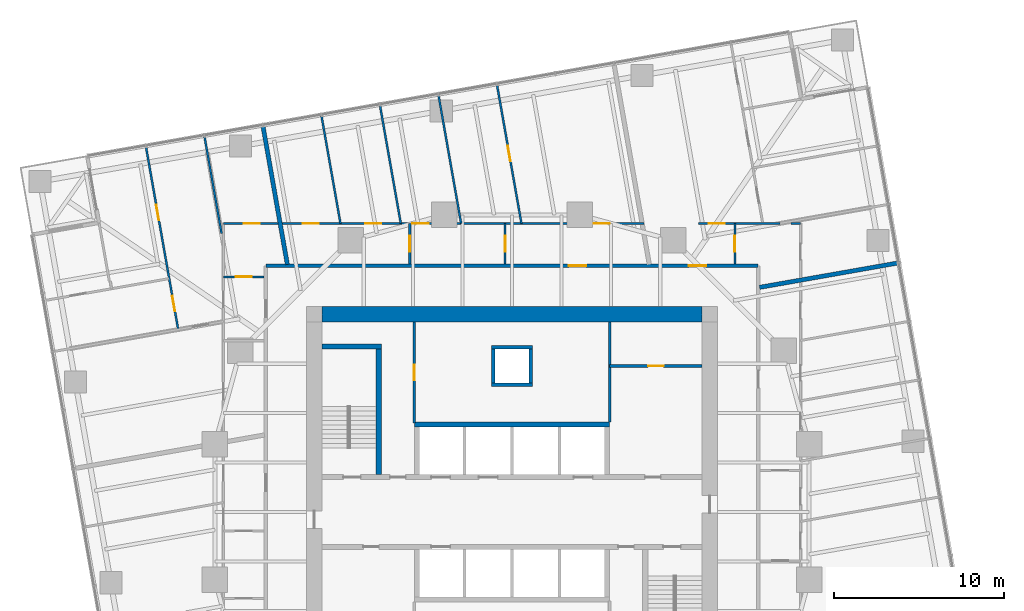
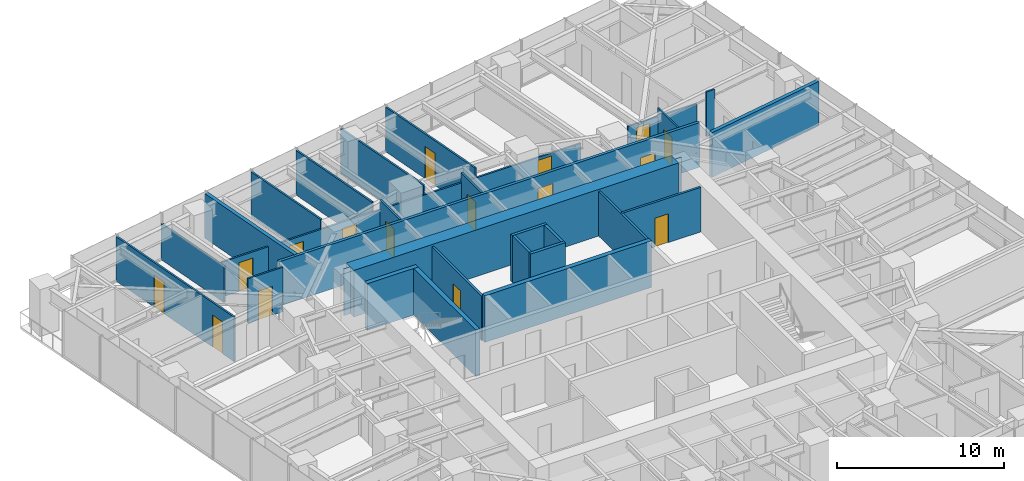
# One storey, part 12 of 14: 27 walls, 17 doors, 17 openings.
"""IFC4 building model written with IfcOpenShell, lengths in metres."""

from ifc_helpers import new_model, si_unit, direction, frame, frame_2d, origin, place, context, subcontext, project, spatial, polyline, rectangle, outline, extrude, material, layer, layer_set, type_object, element, fill, save


model = new_model("IFC4")

# Units and contexts
model_context = context("Model", 3, precision=1e-05, world=origin(), true_north=direction((0.0, 1.0)))
body_context = subcontext(model_context, "Body", "Model", "MODEL_VIEW")
ifc_project = project(units=[si_unit("LENGTHUNIT", "METRE"), si_unit("AREAUNIT", "SQUARE_METRE"), si_unit("VOLUMEUNIT", "CUBIC_METRE"), si_unit("PLANEANGLEUNIT", "RADIAN"), si_unit("MASSUNIT", "GRAM", prefix="KILO")], contexts=[model_context])

# Site, building, storey
site_placement = place(None, origin())
site = spatial("IfcSite", under=ifc_project, at=site_placement, CompositionType="ELEMENT")
building_placement = place(site_placement, origin())
building = spatial("IfcBuilding", under=site, at=building_placement, Name="Torsade Residences", CompositionType="ELEMENT")
storey_placement = place(building_placement, frame((0.0, 0.0, 79.39990234375)))
storey = spatial("IfcBuildingStorey", under=building, at=storey_placement, Name="L21", CompositionType="ELEMENT", Elevation=79.39990234375)

# Walls
ifc_material_1 = material(Name="Concrete 80 MPa", Category="concrete")
ifc_layer_1 = layer(ifc_material_1, 0.300048828125)
ifc_layer_set_1 = layer_set([ifc_layer_1], Name="Concrete 80 MPa")
wall_type_1 = type_object("IfcWallType", Name="CORE INTERNAL WALL 300", PredefinedType="SHEAR", material=ifc_layer_set_1)
wall_1_placement = place(storey_placement, frame((34.25, 35.14990234375, 0.0), z_axis=(0.0, 0.0, 1.0), x_axis=(1.0, 0.0, 0.0)))
element("IfcWall", 1, at=wall_1_placement, inside=storey, type_object=wall_type_1, Name="Core wall BN L21", PredefinedType="SHEAR", context=body_context, shape_type="SweptSolid", body=[
    extrude(rectangle(XDim=11.5, YDim=0.300048828125, at=frame_2d((5.75, 0.0))), origin(), (0.0, 0.0, 1.0), 3.400146484375),
])
wall_2_placement = place(storey_placement, frame((32.14990234375, 32.199951171875, 0.0), z_axis=(0.0, 0.0, 1.0), x_axis=(0.0, 1.0, 0.0)))
element("IfcWall", 2, at=wall_2_placement, inside=storey, type_object=wall_type_1, Name="Core wall ST1E L21", PredefinedType="SHEAR", context=body_context, shape_type="SweptSolid", body=[
    extrude(rectangle(XDim=7.699951171875, YDim=0.300048828125, at=frame_2d((3.85009765625, 0.0))), origin(), (0.0, 0.0, 1.0), 3.400146484375),
])
wall_3_placement = place(storey_placement, frame((28.800048828125, 39.75, 0.0), z_axis=(0.0, 0.0, 1.0), x_axis=(1.0, 0.0, 0.0)))
element("IfcWall", 3, at=wall_3_placement, inside=storey, type_object=wall_type_1, Name="Core wall ST1N L21", PredefinedType="SHEAR", context=body_context, shape_type="SweptSolid", body=[
    extrude(rectangle(XDim=3.5, YDim=0.300048828125, at=frame_2d((1.75, 0.0))), origin(), (0.0, 0.0, 1.0), 3.400146484375),
])
ifc_material_2 = material(Name="Concrete 80 MPa", Category="concrete")
ifc_layer_2 = layer(ifc_material_2, 0.89990234375)
ifc_layer_set_2 = layer_set([ifc_layer_2], Name="Concrete 80 MPa")
wall_type_2 = type_object("IfcWallType", Name="CORE WALL 900", PredefinedType="SHEAR", material=ifc_layer_set_2)
wall_4_placement = place(storey_placement, frame((28.800048828125, 41.64990234375, 0.0), z_axis=(0.0, 0.0, 1.0), x_axis=(1.0, 0.0, 0.0)))
element("IfcWall", 4, at=wall_4_placement, inside=storey, type_object=wall_type_2, Name="Core wall N L21", PredefinedType="SHEAR", context=body_context, shape_type="SweptSolid", body=[
    extrude(outline(polyline([(0.0, -0.449951171875), (22.39990234375, -0.449951171875), (22.39990234375, -0.02490234375), (22.849853515625, -0.02490234375), (22.849853515625, 0.02490234375), (22.39990234375, 0.02490234375), (22.39990234375, 0.449951171875), (0.0, 0.449951171875), (0.0, 0.02490234375), (-0.449951171875, 0.02490234375), (-0.449951171875, -0.02490234375), (0.0, -0.02490234375), (0.0, -0.449951171875)])), origin(), (0.0, 0.0, 1.0), 3.400146484375),
])

# Wall, openings, doors
ifc_material_3 = material(Name="Plasterboard on steel stud", Category="steel")
ifc_layer_3 = layer(ifc_material_3, 0.199951171875)
ifc_layer_set_3 = layer_set([ifc_layer_3], Name="Plasterboard on steel stud")
wall_type_3 = type_object("IfcWallType", Name="CORRIDOR WALL 200", PredefinedType="PARTITIONING", material=ifc_layer_set_3)
wall_5_placement = place(storey_placement, frame((54.5, 44.5, 0.0), z_axis=(0.0, 0.0, 1.0), x_axis=(-1.0, 0.0, 0.0)))
wall_5 = element("IfcWall", 5, at=wall_5_placement, inside=storey, type_object=wall_type_3, Name="Corridor wall L21", PredefinedType="PARTITIONING", context=body_context, shape_type="SweptSolid", body=[
    extrude(rectangle(XDim=29.0, YDim=0.199951171875, at=frame_2d((14.5, 0.0))), origin(), (0.0, 0.0, 1.0), 3.25),
])
opening_1_placement = place(wall_5_placement, frame((10.128662109375, 0.0, 0.0)))
opening_1 = element("IfcOpeningElement", 6, at=opening_1_placement, cuts=wall_5, Name="Opening D01", PredefinedType="OPENING", context=body_context, shape_type="SweptSolid", body=[
    extrude(rectangle(XDim=1.02001953125, YDim=2.340087890625, at=frame_2d((0.510009765625, 1.169921875))), frame((0.0, 0.10986328125, 0.0), z_axis=(0.0, -1.0, 0.0), x_axis=(1.0, 0.0, 0.0)), (0.0, 0.0, 1.0), 0.219970703125),
])
opening_2_placement = place(wall_5_placement, frame((3.0654296875, 0.0, 0.0)))
opening_2 = element("IfcOpeningElement", 7, at=opening_2_placement, cuts=wall_5, Name="Opening D01L", PredefinedType="OPENING", context=body_context, shape_type="SweptSolid", body=[
    extrude(rectangle(XDim=1.02001953125, YDim=2.10009765625, at=frame_2d((0.510009765625, 1.050048828125))), frame((0.0, 0.10986328125, 0.0), z_axis=(0.0, -1.0, 0.0), x_axis=(1.0, 0.0, 0.0)), (0.0, 0.0, 1.0), 0.219970703125),
])
ifc_material_4 = material(Name="Solid-core timber fire door", Category="wood")
door_type_1 = type_object("IfcDoorType", Name="APARTMENT ENTRY DOOR 1020x2100", OperationType="NOTDEFINED", PredefinedType="DOOR", material=ifc_material_4)
door_1_placement = place(opening_2_placement, origin())
door_1 = element("IfcDoor", 8, at=door_1_placement, inside=storey, type_object=door_type_1, Name="Door Residential corridor to Kitchen and dining", OperationType="SINGLE_SWING_LEFT", OverallHeight=2.10009765625, OverallWidth=1.02001953125, PredefinedType="DOOR", context=body_context, shape_type="SweptSolid", body=[
    extrude(rectangle(XDim=1.02001953125, YDim=2.10009765625, at=frame_2d((0.510009765625, 1.050048828125))), frame((0.0, 0.02490234375, 0.0), z_axis=(0.0, -1.0, 0.0), x_axis=(1.0, 0.0, 0.0)), (0.0, 0.0, 1.0), 0.050048828125),
])
fill(opening_2, door_1)
ifc_material_5 = material(Name="Solid-core timber fire door", Category="wood")
door_type_2 = type_object("IfcDoorType", Name="APARTMENT ENTRY DOOR 1020x2340", OperationType="NOTDEFINED", PredefinedType="DOOR", material=ifc_material_5)
door_2_placement = place(opening_1_placement, origin())
door_2 = element("IfcDoor", 9, at=door_2_placement, inside=storey, type_object=door_type_2, Name="Door Residential corridor to Kitchen and dining", OperationType="SINGLE_SWING_RIGHT", OverallHeight=2.340087890625, OverallWidth=1.02001953125, PredefinedType="DOOR", context=body_context, shape_type="SweptSolid", body=[
    extrude(rectangle(XDim=1.02001953125, YDim=2.340087890625, at=frame_2d((0.510009765625, 1.169921875))), frame((0.0, 0.02490234375, 0.0), z_axis=(0.0, -1.0, 0.0), x_axis=(1.0, 0.0, 0.0)), (0.0, 0.0, 1.0), 0.050048828125),
])
fill(opening_1, door_2)

# Wall, opening, door
ifc_material_6 = material(Name="Plasterboard on steel stud", Category="steel")
ifc_layer_4 = layer(ifc_material_6, 0.1201171875)
ifc_layer_set_4 = layer_set([ifc_layer_4], Name="Plasterboard on steel stud")
wall_type_4 = type_object("IfcWallType", Name="PARTITION 120", PredefinedType="PARTITIONING", material=ifc_layer_set_4)
wall_6_placement = place(storey_placement, frame((53.13037109375, 47.0, 0.0), z_axis=(0.0, 0.0, 1.0), x_axis=(0.0, -1.0, 0.0)))
wall_6 = element("IfcWall", 10, at=wall_6_placement, inside=storey, type_object=wall_type_4, Name="Partition L21", PredefinedType="PARTITIONING", context=body_context, shape_type="SweptSolid", body=[
    extrude(rectangle(XDim=2.39990234375, YDim=0.1201171875, at=frame_2d((1.199951171875, 0.0))), origin(), (0.0, 0.0, 1.0), 3.25),
])
opening_3_placement = place(wall_6_placement, frame((0.719970703125, 0.0, 0.0)))
opening_3 = element("IfcOpeningElement", 11, at=opening_3_placement, cuts=wall_6, Name="Opening D05", PredefinedType="OPENING", context=body_context, shape_type="SweptSolid", body=[
    extrude(rectangle(XDim=0.9599609375, YDim=2.10009765625, at=frame_2d((0.47998046875, 1.050048828125))), frame((0.0, 0.070068359375, 0.0), z_axis=(0.0, -1.0, 0.0), x_axis=(1.0, 0.0, 0.0)), (0.0, 0.0, 1.0), 0.14013671875),
])
ifc_material_7 = material(Name="Hollow-core timber door in a steel cavity frame", Category="steel")
door_type_3 = type_object("IfcDoorType", Name="BATHROOM CAVITY SLIDING DOOR 960", OperationType="SLIDING_TO_LEFT", PredefinedType="DOOR", material=ifc_material_7)
door_3_placement = place(opening_3_placement, origin())
door_3 = element("IfcDoor", 12, at=door_3_placement, inside=storey, type_object=door_type_3, Name="Door Kitchen and dining to Bathroom", OperationType="SLIDING_TO_LEFT", OverallHeight=2.10009765625, OverallWidth=0.9599609375, PredefinedType="DOOR", context=body_context, shape_type="SweptSolid", body=[
    extrude(rectangle(XDim=0.9599609375, YDim=2.10009765625, at=frame_2d((0.47998046875, 1.050048828125))), frame((0.0, 0.02490234375, 0.0), z_axis=(0.0, -1.0, 0.0), x_axis=(1.0, 0.0, 0.0)), (0.0, 0.0, 1.0), 0.050048828125),
])
fill(opening_3, door_3)

# Wall, openings, doors
wall_7_placement = place(storey_placement, frame((23.0, 47.0, 0.0), z_axis=(0.0, 0.0, 1.0), x_axis=(1.0, 0.0, 0.0)))
wall_7 = element("IfcWall", 13, at=wall_7_placement, inside=storey, type_object=wall_type_4, Name="Partition L21", PredefinedType="PARTITIONING", context=body_context, shape_type="SweptSolid", body=[
    extrude(rectangle(XDim=24.771240234375, YDim=0.1201171875, at=frame_2d((12.3857421875, 0.0))), origin(), (0.0, 0.0, 1.0), 2.550048828125),
])
opening_4_placement = place(wall_7_placement, frame((21.824951171875, 0.0, 0.0)))
opening_4 = element("IfcOpeningElement", 14, at=opening_4_placement, cuts=wall_7, Name="Opening D02", PredefinedType="OPENING", context=body_context, shape_type="SweptSolid", body=[
    extrude(rectangle(XDim=0.919921875, YDim=2.340087890625, at=frame_2d((0.4599609375, 1.169921875))), frame((0.0, 0.070068359375, 0.0), z_axis=(0.0, -1.0, 0.0), x_axis=(1.0, 0.0, 0.0)), (0.0, 0.0, 1.0), 0.14013671875),
])
opening_5_placement = place(wall_7_placement, frame((11.135009765625, 0.0, 0.0)))
opening_5 = element("IfcOpeningElement", 15, at=opening_5_placement, cuts=wall_7, Name="Opening D05", PredefinedType="OPENING", context=body_context, shape_type="SweptSolid", body=[
    extrude(rectangle(XDim=0.9599609375, YDim=2.10009765625, at=frame_2d((0.47998046875, 1.050048828125))), frame((0.0, 0.070068359375, 0.0), z_axis=(0.0, -1.0, 0.0), x_axis=(1.0, 0.0, 0.0)), (0.0, 0.0, 1.0), 0.14013671875),
])
opening_6_placement = place(wall_7_placement, frame((1.190185546875, 0.0, 0.0)))
opening_6 = element("IfcOpeningElement", 16, at=opening_6_placement, cuts=wall_7, Name="Opening D05", PredefinedType="OPENING", context=body_context, shape_type="SweptSolid", body=[
    extrude(rectangle(XDim=0.9599609375, YDim=2.10009765625, at=frame_2d((0.47998046875, 1.050048828125))), frame((0.0, 0.070068359375, 0.0), z_axis=(0.0, -1.0, 0.0), x_axis=(1.0, 0.0, 0.0)), (0.0, 0.0, 1.0), 0.14013671875),
])
opening_7_placement = place(wall_7_placement, frame((8.341552734375, 0.0, 0.0)))
opening_7 = element("IfcOpeningElement", 17, at=opening_7_placement, cuts=wall_7, Name="Opening D05", PredefinedType="OPENING", context=body_context, shape_type="SweptSolid", body=[
    extrude(rectangle(XDim=0.9599609375, YDim=2.10009765625, at=frame_2d((0.47998046875, 1.050048828125))), frame((0.0, 0.070068359375, 0.0), z_axis=(0.0, -1.0, 0.0), x_axis=(1.0, 0.0, 0.0)), (0.0, 0.0, 1.0), 0.14013671875),
])
opening_8_placement = place(wall_7_placement, frame((4.662841796875, 0.0, 0.0)))
opening_8 = element("IfcOpeningElement", 18, at=opening_8_placement, cuts=wall_7, Name="Opening D05", PredefinedType="OPENING", context=body_context, shape_type="SweptSolid", body=[
    extrude(rectangle(XDim=0.9599609375, YDim=2.10009765625, at=frame_2d((0.47998046875, 1.050048828125))), frame((0.0, 0.070068359375, 0.0), z_axis=(0.0, -1.0, 0.0), x_axis=(1.0, 0.0, 0.0)), (0.0, 0.0, 1.0), 0.14013671875),
])
door_4_placement = place(opening_5_placement, origin())
door_4 = element("IfcDoor", 19, at=door_4_placement, inside=storey, type_object=door_type_3, Name="Door Ensuite to Bedroom 2", OperationType="SLIDING_TO_LEFT", OverallHeight=2.10009765625, OverallWidth=0.9599609375, PredefinedType="DOOR", context=body_context, shape_type="SweptSolid", body=[
    extrude(rectangle(XDim=0.9599609375, YDim=2.10009765625, at=frame_2d((0.47998046875, 1.050048828125))), frame((0.0, 0.02490234375, 0.0), z_axis=(0.0, -1.0, 0.0), x_axis=(1.0, 0.0, 0.0)), (0.0, 0.0, 1.0), 0.050048828125),
])
fill(opening_5, door_4)
door_5_placement = place(opening_6_placement, origin())
door_5 = element("IfcDoor", 20, at=door_5_placement, inside=storey, type_object=door_type_3, Name="Door WC to Family room", OperationType="SLIDING_TO_LEFT", OverallHeight=2.10009765625, OverallWidth=0.9599609375, PredefinedType="DOOR", context=body_context, shape_type="SweptSolid", body=[
    extrude(rectangle(XDim=0.9599609375, YDim=2.10009765625, at=frame_2d((0.47998046875, 1.050048828125))), frame((0.0, 0.02490234375, 0.0), z_axis=(0.0, -1.0, 0.0), x_axis=(1.0, 0.0, 0.0)), (0.0, 0.0, 1.0), 0.050048828125),
])
fill(opening_6, door_5)
door_6_placement = place(opening_7_placement, origin())
door_6 = element("IfcDoor", 21, at=door_6_placement, inside=storey, type_object=door_type_3, Name="Door Bathroom to Study", OperationType="SLIDING_TO_LEFT", OverallHeight=2.10009765625, OverallWidth=0.9599609375, PredefinedType="DOOR", context=body_context, shape_type="SweptSolid", body=[
    extrude(rectangle(XDim=0.9599609375, YDim=2.10009765625, at=frame_2d((0.47998046875, 1.050048828125))), frame((0.0, 0.02490234375, 0.0), z_axis=(0.0, -1.0, 0.0), x_axis=(1.0, 0.0, 0.0)), (0.0, 0.0, 1.0), 0.050048828125),
])
fill(opening_7, door_6)
door_7_placement = place(opening_8_placement, origin())
door_7 = element("IfcDoor", 22, at=door_7_placement, inside=storey, type_object=door_type_3, Name="Door Bathroom to Family room", OperationType="SLIDING_TO_LEFT", OverallHeight=2.10009765625, OverallWidth=0.9599609375, PredefinedType="DOOR", context=body_context, shape_type="SweptSolid", body=[
    extrude(rectangle(XDim=0.9599609375, YDim=2.10009765625, at=frame_2d((0.47998046875, 1.050048828125))), frame((0.0, 0.02490234375, 0.0), z_axis=(0.0, -1.0, 0.0), x_axis=(1.0, 0.0, 0.0)), (0.0, 0.0, 1.0), 0.050048828125),
])
fill(opening_8, door_7)
ifc_material_8 = material(Name="Hollow-core timber door", Category="wood")
door_type_4 = type_object("IfcDoorType", Name="INTERNAL DOOR 920x2340", OperationType="NOTDEFINED", PredefinedType="DOOR", material=ifc_material_8)
door_8_placement = place(opening_4_placement, origin())
door_8 = element("IfcDoor", 23, at=door_8_placement, inside=storey, type_object=door_type_4, Name="Door Kitchen and dining to Living room", OperationType="SINGLE_SWING_LEFT", OverallHeight=2.340087890625, OverallWidth=0.919921875, PredefinedType="DOOR", context=body_context, shape_type="SweptSolid", body=[
    extrude(rectangle(XDim=0.919921875, YDim=2.340087890625, at=frame_2d((0.4599609375, 1.169921875))), frame((0.0, 0.02490234375, 0.0), z_axis=(0.0, -1.0, 0.0), x_axis=(1.0, 0.0, 0.0)), (0.0, 0.0, 1.0), 0.050048828125),
])
fill(opening_4, door_8)

# Wall, opening, door
wall_8_placement = place(storey_placement, frame((51.0, 47.0, 0.0), z_axis=(0.0, 0.0, 1.0), x_axis=(1.0, 0.0, 0.0)))
wall_8 = element("IfcWall", 24, at=wall_8_placement, inside=storey, type_object=wall_type_4, Name="Partition L21", PredefinedType="PARTITIONING", context=body_context, shape_type="SweptSolid", body=[
    extrude(rectangle(XDim=4.7890625, YDim=0.1201171875, at=frame_2d((2.39453125, 0.0))), origin(), (0.0, 0.0, 1.0), 2.63818359375),
])
opening_9_placement = place(wall_8_placement, frame((0.605224609375, 0.0, 0.0)))
opening_9 = element("IfcOpeningElement", 25, at=opening_9_placement, cuts=wall_8, Name="Opening D02", PredefinedType="OPENING", context=body_context, shape_type="SweptSolid", body=[
    extrude(rectangle(XDim=0.919921875, YDim=2.340087890625, at=frame_2d((0.4599609375, 1.169921875))), frame((0.0, 0.070068359375, 0.0), z_axis=(0.0, -1.0, 0.0), x_axis=(1.0, 0.0, 0.0)), (0.0, 0.0, 1.0), 0.14013671875),
])
door_9_placement = place(opening_9_placement, origin())
door_9 = element("IfcDoor", 26, at=door_9_placement, inside=storey, type_object=door_type_4, Name="Door Kitchen and dining to Living room", OperationType="SINGLE_SWING_RIGHT", OverallHeight=2.340087890625, OverallWidth=0.919921875, PredefinedType="DOOR", context=body_context, shape_type="SweptSolid", body=[
    extrude(rectangle(XDim=0.919921875, YDim=2.340087890625, at=frame_2d((0.4599609375, 1.169921875))), frame((0.0, 0.02490234375, 0.0), z_axis=(0.0, -1.0, 0.0), x_axis=(1.0, 0.0, 0.0)), (0.0, 0.0, 1.0), 0.050048828125),
])
fill(opening_9, door_9)

wall_9_placement = place(storey_placement, frame((39.595703125, 44.60009765625, 0.0), z_axis=(0.0, 0.0, 1.0), x_axis=(0.0, 1.0, 0.0)))
wall_9 = element("IfcWall", 27, at=wall_9_placement, inside=storey, type_object=wall_type_4, Name="Partition L21", PredefinedType="PARTITIONING", context=body_context, shape_type="SweptSolid", body=[
    extrude(rectangle(XDim=2.39990234375, YDim=0.1201171875, at=frame_2d((1.199951171875, 0.0))), origin(), (0.0, 0.0, 1.0), 3.25),
])
opening_10_placement = place(wall_9_placement, frame((0.719970703125, 0.0, 0.0)))
opening_10 = element("IfcOpeningElement", 28, at=opening_10_placement, cuts=wall_9, Name="Opening D05", PredefinedType="OPENING", context=body_context, shape_type="SweptSolid", body=[
    extrude(rectangle(XDim=0.9599609375, YDim=2.10009765625, at=frame_2d((0.47998046875, 1.050048828125))), frame((0.0, 0.070068359375, 0.0), z_axis=(0.0, -1.0, 0.0), x_axis=(1.0, 0.0, 0.0)), (0.0, 0.0, 1.0), 0.14013671875),
])
door_10_placement = place(opening_10_placement, origin())
door_10 = element("IfcDoor", 29, at=door_10_placement, inside=storey, type_object=door_type_3, Name="Door Kitchen and dining to Ensuite", OperationType="SLIDING_TO_LEFT", OverallHeight=2.10009765625, OverallWidth=0.9599609375, PredefinedType="DOOR", context=body_context, shape_type="SweptSolid", body=[
    extrude(rectangle(XDim=0.9599609375, YDim=2.10009765625, at=frame_2d((0.47998046875, 1.050048828125))), frame((0.0, 0.02490234375, 0.0), z_axis=(0.0, -1.0, 0.0), x_axis=(1.0, 0.0, 0.0)), (0.0, 0.0, 1.0), 0.050048828125),
])
fill(opening_10, door_10)

wall_10_placement = place(storey_placement, frame((33.976806640625, 47.0, 0.0), z_axis=(0.0, 0.0, 1.0), x_axis=(0.0, -1.0, 0.0)))
wall_10 = element("IfcWall", 30, at=wall_10_placement, inside=storey, type_object=wall_type_4, Name="Partition L21", PredefinedType="PARTITIONING", context=body_context, shape_type="SweptSolid", body=[
    extrude(rectangle(XDim=2.39990234375, YDim=0.1201171875, at=frame_2d((1.199951171875, 0.0))), origin(), (0.0, 0.0, 1.0), 3.25),
])
opening_11_placement = place(wall_10_placement, frame((0.719970703125, 0.0, 0.0)))
opening_11 = element("IfcOpeningElement", 31, at=opening_11_placement, cuts=wall_10, Name="Opening D05", PredefinedType="OPENING", context=body_context, shape_type="SweptSolid", body=[
    extrude(rectangle(XDim=0.9599609375, YDim=2.10009765625, at=frame_2d((0.47998046875, 1.050048828125))), frame((0.0, 0.070068359375, 0.0), z_axis=(0.0, -1.0, 0.0), x_axis=(1.0, 0.0, 0.0)), (0.0, 0.0, 1.0), 0.14013671875),
])
door_11_placement = place(opening_11_placement, origin())
door_11 = element("IfcDoor", 32, at=door_11_placement, inside=storey, type_object=door_type_3, Name="Door Ensuite to Bathroom", OperationType="SLIDING_TO_LEFT", OverallHeight=2.10009765625, OverallWidth=0.9599609375, PredefinedType="DOOR", context=body_context, shape_type="SweptSolid", body=[
    extrude(rectangle(XDim=0.9599609375, YDim=2.10009765625, at=frame_2d((0.47998046875, 1.050048828125))), frame((0.0, 0.02490234375, 0.0), z_axis=(0.0, -1.0, 0.0), x_axis=(1.0, 0.0, 0.0)), (0.0, 0.0, 1.0), 0.050048828125),
])
fill(opening_11, door_11)

wall_11_placement = place(storey_placement, frame((40.556396484375, 47.0, 0.0), z_axis=(0.0, 0.0, 1.0), x_axis=(-0.173647980238, 0.984807787824, 0.0)))
wall_11 = element("IfcWall", 33, at=wall_11_placement, inside=storey, type_object=wall_type_4, Name="Partition L21", PredefinedType="PARTITIONING", context=body_context, shape_type="SweptSolid", body=[
    extrude(rectangle(XDim=8.314697265625, YDim=0.1201171875, at=frame_2d((4.1572265625, 0.0))), origin(), (0.0, 0.0, 1.0), 3.25),
])
opening_12_placement = place(wall_11_placement, frame((3.717529296875, 0.0, 0.0)))
opening_12 = element("IfcOpeningElement", 34, at=opening_12_placement, cuts=wall_11, Name="Opening D02", PredefinedType="OPENING", context=body_context, shape_type="SweptSolid", body=[
    extrude(rectangle(XDim=0.919921875, YDim=2.340087890625, at=frame_2d((0.4599609375, 1.169921875))), frame((0.0, 0.070068359375, 0.0), z_axis=(0.0, -1.0, 0.0), x_axis=(1.0, 0.0, 0.0)), (0.0, 0.0, 1.0), 0.14013671875),
])
door_12_placement = place(opening_12_placement, origin())
door_12 = element("IfcDoor", 35, at=door_12_placement, inside=storey, type_object=door_type_4, Name="Door Living room to Bedroom 1", OperationType="SINGLE_SWING_LEFT", OverallHeight=2.340087890625, OverallWidth=0.919921875, PredefinedType="DOOR", context=body_context, shape_type="SweptSolid", body=[
    extrude(rectangle(XDim=0.919921875, YDim=2.340087890625, at=frame_2d((0.4599609375, 1.169921875))), frame((0.0, 0.02490234375, 0.0), z_axis=(0.0, -1.0, 0.0), x_axis=(1.0, 0.0, 0.0)), (0.0, 0.0, 1.0), 0.050048828125),
])
fill(opening_12, door_12)

# Walls
wall_12_placement = place(storey_placement, frame((37.00244140625, 47.0, 0.0), z_axis=(0.0, 0.0, 1.0), x_axis=(-0.173644207293, 0.984808453088, 0.0)))
element("IfcWall", 36, at=wall_12_placement, inside=storey, type_object=wall_type_4, Name="Partition L21", PredefinedType="PARTITIONING", context=body_context, shape_type="SweptSolid", body=[
    extrude(rectangle(XDim=7.69775390625, YDim=0.1201171875, at=frame_2d((3.848876953125, 0.0))), origin(), (0.0, 0.0, 1.0), 3.25),
])
wall_13_placement = place(storey_placement, frame((33.448486328125, 47.0, 0.0), z_axis=(0.0, 0.0, 1.0), x_axis=(-0.173639776761, 0.984809234282, 0.0)))
element("IfcWall", 37, at=wall_13_placement, inside=storey, type_object=wall_type_4, Name="Partition L21", PredefinedType="PARTITIONING", context=body_context, shape_type="SweptSolid", body=[
    extrude(rectangle(XDim=7.080810546875, YDim=0.1201171875, at=frame_2d((3.54052734375, 0.0))), origin(), (0.0, 0.0, 1.0), 3.25),
])
wall_14_placement = place(storey_placement, frame((29.89453125, 47.0, 0.0), z_axis=(0.0, 0.0, 1.0), x_axis=(-0.173640959323, 0.984809025774, 0.0)))
element("IfcWall", 38, at=wall_14_placement, inside=storey, type_object=wall_type_4, Name="Partition L21", PredefinedType="PARTITIONING", context=body_context, shape_type="SweptSolid", body=[
    extrude(rectangle(XDim=6.46337890625, YDim=0.1201171875, at=frame_2d((3.231689453125, 0.0))), origin(), (0.0, 0.0, 1.0), 3.25),
])

# Wall, opening, door
wall_15_placement = place(storey_placement, frame((23.0, 43.85595703125, 0.0), z_axis=(0.0, 0.0, 1.0), x_axis=(1.0, 0.0, 0.0)))
wall_15 = element("IfcWall", 39, at=wall_15_placement, inside=storey, type_object=wall_type_4, Name="Partition L21", PredefinedType="PARTITIONING", context=body_context, shape_type="SweptSolid", body=[
    extrude(rectangle(XDim=2.39990234375, YDim=0.1201171875, at=frame_2d((1.199951171875, 0.0))), origin(), (0.0, 0.0, 1.0), 3.25),
])
opening_13_placement = place(wall_15_placement, frame((0.719970703125, 0.0, 0.0)))
opening_13 = element("IfcOpeningElement", 40, at=opening_13_placement, cuts=wall_15, Name="Opening D05", PredefinedType="OPENING", context=body_context, shape_type="SweptSolid", body=[
    extrude(rectangle(XDim=0.9599609375, YDim=2.10009765625, at=frame_2d((0.47998046875, 1.050048828125))), frame((0.0, 0.070068359375, 0.0), z_axis=(0.0, -1.0, 0.0), x_axis=(1.0, 0.0, 0.0)), (0.0, 0.0, 1.0), 0.14013671875),
])
door_13_placement = place(opening_13_placement, origin())
door_13 = element("IfcDoor", 41, at=door_13_placement, inside=storey, type_object=door_type_3, Name="Door Kitchen and dining to WC", OperationType="SLIDING_TO_LEFT", OverallHeight=2.10009765625, OverallWidth=0.9599609375, PredefinedType="DOOR", context=body_context, shape_type="SweptSolid", body=[
    extrude(rectangle(XDim=0.9599609375, YDim=2.10009765625, at=frame_2d((0.47998046875, 1.050048828125))), frame((0.0, 0.02490234375, 0.0), z_axis=(0.0, -1.0, 0.0), x_axis=(1.0, 0.0, 0.0)), (0.0, 0.0, 1.0), 0.050048828125),
])
fill(opening_13, door_13)

# Wall, openings, doors
wall_16_placement = place(storey_placement, frame((20.334716796875, 40.74853515625, 0.0), z_axis=(0.0, 0.0, 1.0), x_axis=(-0.173639194339, 0.984809336973, 0.0)))
wall_16 = element("IfcWall", 42, at=wall_16_placement, inside=storey, type_object=wall_type_4, Name="Partition L21", PredefinedType="PARTITIONING", context=body_context, shape_type="SweptSolid", body=[
    extrude(rectangle(XDim=10.9599609375, YDim=0.1201171875, at=frame_2d((5.47998046875, 0.0))), origin(), (0.0, 0.0, 1.0), 3.25),
])
opening_14_placement = place(wall_16_placement, frame((6.5400390625, 0.0, 0.0)))
opening_14 = element("IfcOpeningElement", 43, at=opening_14_placement, cuts=wall_16, Name="Opening D02", PredefinedType="OPENING", context=body_context, shape_type="SweptSolid", body=[
    extrude(rectangle(XDim=0.919921875, YDim=2.340087890625, at=frame_2d((0.4599609375, 1.169921875))), frame((0.0, 0.070068359375, 0.0), z_axis=(0.0, -1.0, 0.0), x_axis=(1.0, 0.0, 0.0)), (0.0, 0.0, 1.0), 0.14013671875),
])
opening_15_placement = place(wall_16_placement, frame((1.090087890625, 0.0, 0.0)))
opening_15 = element("IfcOpeningElement", 44, at=opening_15_placement, cuts=wall_16, Name="Opening D02", PredefinedType="OPENING", context=body_context, shape_type="SweptSolid", body=[
    extrude(rectangle(XDim=0.919921875, YDim=2.340087890625, at=frame_2d((0.4599609375, 1.169921875))), frame((0.0, 0.070068359375, 0.0), z_axis=(0.0, -1.0, 0.0), x_axis=(1.0, 0.0, 0.0)), (0.0, 0.0, 1.0), 0.14013671875),
])
door_14_placement = place(opening_14_placement, origin())
door_14 = element("IfcDoor", 45, at=door_14_placement, inside=storey, type_object=door_type_4, Name="Door Bedroom 1 to Study", OperationType="SINGLE_SWING_LEFT", OverallHeight=2.340087890625, OverallWidth=0.919921875, PredefinedType="DOOR", context=body_context, shape_type="SweptSolid", body=[
    extrude(rectangle(XDim=0.919921875, YDim=2.340087890625, at=frame_2d((0.4599609375, 1.169921875))), frame((0.0, 0.02490234375, 0.0), z_axis=(0.0, -1.0, 0.0), x_axis=(1.0, 0.0, 0.0)), (0.0, 0.0, 1.0), 0.050048828125),
])
fill(opening_14, door_14)
door_15_placement = place(opening_15_placement, origin())
door_15 = element("IfcDoor", 46, at=door_15_placement, inside=storey, type_object=door_type_4, Name="Door Bedroom 1 to Bedroom 2", OperationType="SINGLE_SWING_RIGHT", OverallHeight=2.340087890625, OverallWidth=0.919921875, PredefinedType="DOOR", context=body_context, shape_type="SweptSolid", body=[
    extrude(rectangle(XDim=0.919921875, YDim=2.340087890625, at=frame_2d((0.4599609375, 1.169921875))), frame((0.0, 0.02490234375, 0.0), z_axis=(0.0, -1.0, 0.0), x_axis=(1.0, 0.0, 0.0)), (0.0, 0.0, 1.0), 0.050048828125),
])
fill(opening_15, door_15)

# Walls
wall_17_placement = place(storey_placement, frame((21.87841796875, 52.149658203125, 0.0), z_axis=(0.0, 0.0, 1.0), x_axis=(0.173634707655, -0.984810128044, 0.0)))
element("IfcWall", 47, at=wall_17_placement, inside=storey, type_object=wall_type_4, Name="Partition L21", PredefinedType="PARTITIONING", context=body_context, shape_type="SweptSolid", body=[
    extrude(rectangle(XDim=5.8251953125, YDim=0.1201171875, at=frame_2d((2.91259765625, 0.0))), origin(), (0.0, 0.0, 1.0), 2.63818359375),
])
wall_18_placement = place(storey_placement, frame((57.0, 47.0, 0.0), z_axis=(0.0, 0.0, 1.0), x_axis=(-1.0, 0.0, 0.0)))
element("IfcWall", 48, at=wall_18_placement, inside=storey, type_object=wall_type_4, Name="Partition L21", PredefinedType="PARTITIONING", context=body_context, shape_type="SweptSolid", body=[
    extrude(rectangle(XDim=0.57763671875, YDim=0.1201171875, at=frame_2d((0.288818359375, 0.0))), origin(), (0.0, 0.0, 1.0), 3.25),
])
ifc_material_9 = material(Name="Masonry-lined stud party wall", Category="masonry")
ifc_layer_5 = layer(ifc_material_9, 0.25)
ifc_layer_set_5 = layer_set([ifc_layer_5], Name="Masonry-lined stud party wall")
wall_type_5 = type_object("IfcWallType", Name="PARTY WALL 250", PredefinedType="PARTITIONING", material=ifc_layer_set_5)
for number, where, z_axis, x_axis, name in (
    (49, (62.796875, 44.681640625, 0.0), (0.0, 0.0, 1.0), (-0.984807121942, -0.173651756605, 0.0), "Party wall L21"),
    (50, (25.318359375, 52.796875, 0.0), (0.0, 0.0, 1.0), (0.173651756605, -0.984807121942, 0.0), "Party wall L21"),
):
    element("IfcWall", number, at=place(storey_placement, frame(where, z_axis=z_axis, x_axis=x_axis)), inside=storey, type_object=wall_type_5, Name=name, PredefinedType="PARTITIONING", context=body_context, shape_type="SweptSolid", body=[
        extrude(rectangle(XDim=8.34130859375, YDim=0.25, at=frame_2d((4.170654296875, 0.0))), origin(), (0.0, 0.0, 1.0), 3.25),
    ])
ifc_material_10 = material(Name="Reinforced blockwork", Category="masonry")
ifc_layer_6 = layer(ifc_material_10, 0.199951171875)
ifc_layer_set_6 = layer_set([ifc_layer_6], Name="Reinforced blockwork")
wall_type_6 = type_object("IfcWallType", Name="RISER SHAFT WALL 200", PredefinedType="SOLIDWALL", material=ifc_layer_set_6)
for number, where, z_axis, x_axis, name in (
    (51, (38.89990234375, 37.60009765625, 0.0), (0.0, 0.0, 1.0), (0.0, 1.0, 0.0), "Core wall RS1a L21"),
    (52, (41.10009765625, 37.60009765625, 0.0), (0.0, 0.0, 1.0), (0.0, 1.0, 0.0), "Core wall RS1b L21"),
):
    element("IfcWall", number, at=place(storey_placement, frame(where, z_axis=z_axis, x_axis=x_axis)), inside=storey, type_object=wall_type_6, Name=name, PredefinedType="SOLIDWALL", context=body_context, shape_type="SweptSolid", body=[
        extrude(rectangle(XDim=2.0, YDim=0.199951171875, at=frame_2d((1.0, 0.0))), origin(), (0.0, 0.0, 1.0), 3.400146484375),
    ])
for number, where, z_axis, x_axis, name in (
    (53, (38.800048828125, 37.5, 0.0), (0.0, 0.0, 1.0), (1.0, 0.0, 0.0), "Core wall RS1c L21"),
    (54, (38.800048828125, 39.699951171875, 0.0), (0.0, 0.0, 1.0), (1.0, 0.0, 0.0), "Core wall RS1d L21"),
):
    element("IfcWall", number, at=place(storey_placement, frame(where, z_axis=z_axis, x_axis=x_axis)), inside=storey, type_object=wall_type_6, Name=name, PredefinedType="SOLIDWALL", context=body_context, shape_type="SweptSolid", body=[
        extrude(rectangle(XDim=2.39990234375, YDim=0.199951171875, at=frame_2d((1.199951171875, 0.0))), origin(), (0.0, 0.0, 1.0), 3.400146484375),
    ])

# Wall, opening, door
ifc_material_11 = material(Name="Reinforced blockwork", Category="masonry")
ifc_layer_7 = layer(ifc_material_11, 0.14990234375)
ifc_layer_set_7 = layer_set([ifc_layer_7], Name="Reinforced blockwork")
wall_type_7 = type_object("IfcWallType", Name="SERVICE ROOM WALL 150", PredefinedType="SOLIDWALL", material=ifc_layer_set_7)
wall_19_placement = place(storey_placement, frame((34.25, 41.199951171875, 0.0), z_axis=(0.0, 0.0, 1.0), x_axis=(0.0, -1.0, 0.0)))
wall_19 = element("IfcWall", 55, at=wall_19_placement, inside=storey, type_object=wall_type_7, Name="Service room wall L21", PredefinedType="SOLIDWALL", context=body_context, shape_type="SweptSolid", body=[
    extrude(rectangle(XDim=5.949951171875, YDim=0.14990234375, at=frame_2d((2.97509765625, 0.0))), origin(), (0.0, 0.0, 1.0), 3.25),
])
opening_16_placement = place(wall_19_placement, frame((2.514892578125, 0.0, 0.0)))
opening_16 = element("IfcOpeningElement", 56, at=opening_16_placement, cuts=wall_19, Name="Opening D06", PredefinedType="OPENING", context=body_context, shape_type="SweptSolid", body=[
    extrude(rectangle(XDim=0.919921875, YDim=2.10009765625, at=frame_2d((0.4599609375, 1.050048828125))), frame((0.0, 0.0849609375, 0.0), z_axis=(0.0, -1.0, 0.0), x_axis=(1.0, 0.0, 0.0)), (0.0, 0.0, 1.0), 0.169921875),
])
ifc_material_12 = material(Name="Steel-framed fire door", Category="steel")
door_type_5 = type_object("IfcDoorType", Name="FIRE DOOR 920", OperationType="NOTDEFINED", PredefinedType="DOOR", material=ifc_material_12)
door_16_placement = place(opening_16_placement, origin())
door_16 = element("IfcDoor", 57, at=door_16_placement, inside=storey, type_object=door_type_5, Name="Door Meter store to Electrical riser room", OperationType="SINGLE_SWING_RIGHT", OverallHeight=2.10009765625, OverallWidth=0.919921875, PredefinedType="DOOR", context=body_context, shape_type="SweptSolid", body=[
    extrude(rectangle(XDim=0.919921875, YDim=2.10009765625, at=frame_2d((0.4599609375, 1.050048828125))), frame((0.0, 0.02490234375, 0.0), z_axis=(0.0, -1.0, 0.0), x_axis=(1.0, 0.0, 0.0)), (0.0, 0.0, 1.0), 0.050048828125),
])
fill(opening_16, door_16)

# Wall
wall_20_placement = place(storey_placement, frame((45.75, 41.199951171875, 0.0), z_axis=(0.0, 0.0, 1.0), x_axis=(0.0, -1.0, 0.0)))
element("IfcWall", 58, at=wall_20_placement, inside=storey, type_object=wall_type_7, Name="Service room wall L21", PredefinedType="SOLIDWALL", context=body_context, shape_type="SweptSolid", body=[
    extrude(rectangle(XDim=5.89990234375, YDim=0.14990234375, at=frame_2d((2.949951171875, 0.0))), origin(), (0.0, 0.0, 1.0), 3.25),
])

# Wall, opening, door
wall_21_placement = place(storey_placement, frame((45.75, 38.60009765625, 0.0), z_axis=(0.0, 0.0, 1.0), x_axis=(1.0, 0.0, 0.0)))
wall_21 = element("IfcWall", 59, at=wall_21_placement, inside=storey, type_object=wall_type_7, Name="Service room wall L21", PredefinedType="SOLIDWALL", context=body_context, shape_type="SweptSolid", body=[
    extrude(rectangle(XDim=5.449951171875, YDim=0.14990234375, at=frame_2d((2.72509765625, 0.0))), origin(), (0.0, 0.0, 1.0), 3.25),
])
opening_17_placement = place(wall_21_placement, frame((2.264892578125, 0.0, 0.0)))
opening_17 = element("IfcOpeningElement", 60, at=opening_17_placement, cuts=wall_21, Name="Opening D06", PredefinedType="OPENING", context=body_context, shape_type="SweptSolid", body=[
    extrude(rectangle(XDim=0.919921875, YDim=2.10009765625, at=frame_2d((0.4599609375, 1.050048828125))), frame((0.0, 0.0849609375, 0.0), z_axis=(0.0, -1.0, 0.0), x_axis=(1.0, 0.0, 0.0)), (0.0, 0.0, 1.0), 0.169921875),
])
door_17_placement = place(opening_17_placement, origin())
door_17 = element("IfcDoor", 61, at=door_17_placement, inside=storey, type_object=door_type_5, Name="Door Refuse room to Linen store", OperationType="SINGLE_SWING_LEFT", OverallHeight=2.10009765625, OverallWidth=0.919921875, PredefinedType="DOOR", context=body_context, shape_type="SweptSolid", body=[
    extrude(rectangle(XDim=0.919921875, YDim=2.10009765625, at=frame_2d((0.4599609375, 1.050048828125))), frame((0.0, 0.02490234375, 0.0), z_axis=(0.0, -1.0, 0.0), x_axis=(1.0, 0.0, 0.0)), (0.0, 0.0, 1.0), 0.050048828125),
])
fill(opening_17, door_17)

save(model, "model.ifc")
